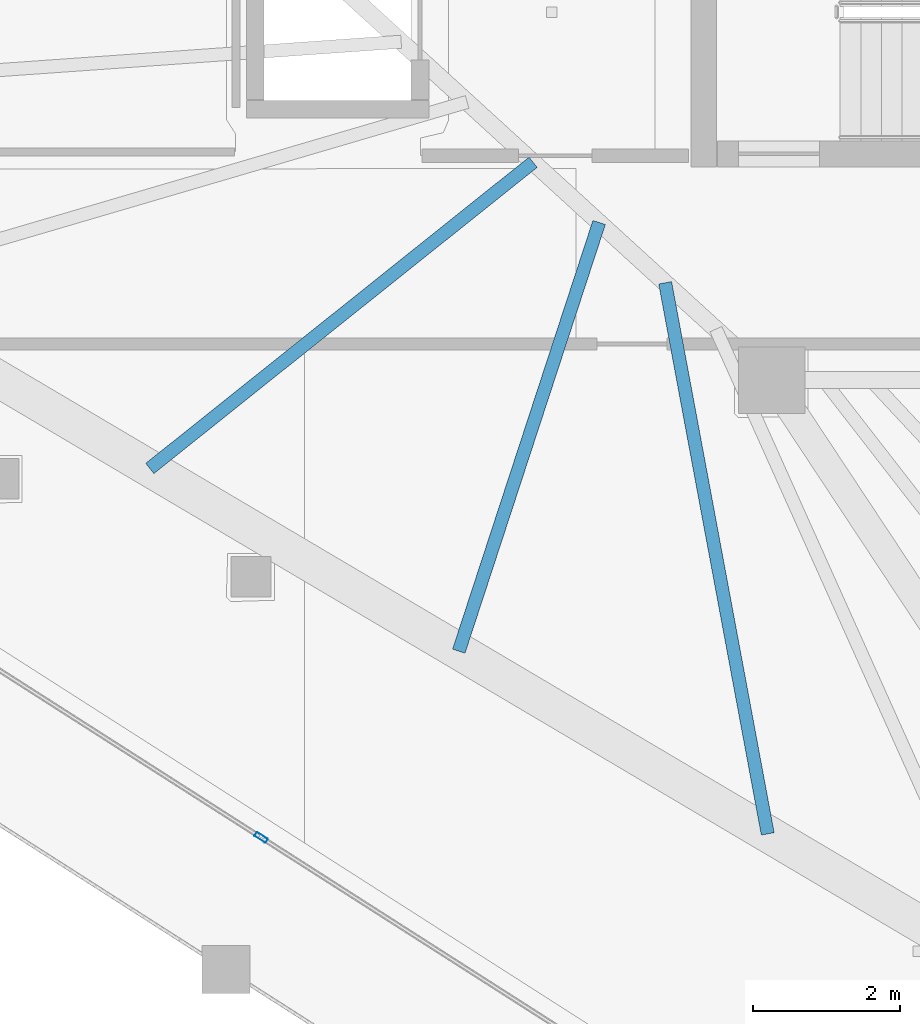
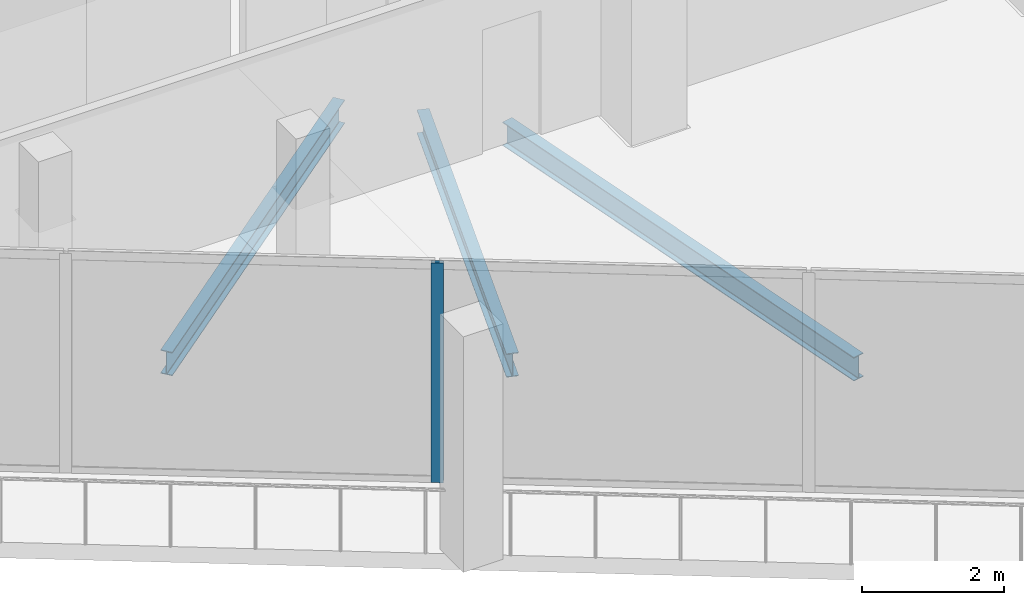
# One storey, part 5 of 30: 3 beams, 1 member, 1 element without a shape of its own.
"""IFC4 building model written with IfcOpenShell, lengths in metres."""

from ifc_helpers import new_model, si_unit, direction, frame, origin, origin_2d, place, context, subcontext, project, spatial, hollow_rectangle, i_section, extrude, material, layer, layer_set, material_profile, profile_set, type_object, element, aggregate, save


model = new_model("IFC4")

# Units and contexts
model_context = context("Model", 3, precision=1e-05, world=origin(), true_north=direction((0.0, 1.0)))
body_context = subcontext(model_context, "Body", "Model", "MODEL_VIEW")
ifc_project = project(units=[si_unit("LENGTHUNIT", "METRE"), si_unit("AREAUNIT", "SQUARE_METRE"), si_unit("VOLUMEUNIT", "CUBIC_METRE"), si_unit("PLANEANGLEUNIT", "RADIAN"), si_unit("MASSUNIT", "GRAM", prefix="KILO")], contexts=[model_context])

# Site, building, storey
site_placement = place(None, origin())
site = spatial("IfcSite", under=ifc_project, at=site_placement, CompositionType="ELEMENT")
building_placement = place(site_placement, origin())
building = spatial("IfcBuilding", under=site, at=building_placement, Name="Qorvath Tower", CompositionType="ELEMENT")
storey_placement = place(building_placement, frame((0.0, 0.0, 217.199951171875)))
storey = spatial("IfcBuildingStorey", under=building, at=storey_placement, Name="L50", CompositionType="ELEMENT", Elevation=217.199951171875)

# Beams
ifc_material_1 = material(Name="Steel ASTM A992 Grade 50", Category="steel")
ifc_material_profile_1 = material_profile(ifc_material_1, i_section(OverallWidth=0.177978515625, OverallDepth=0.406005859375, WebThickness=0.0078125, FlangeThickness=0.0126953125, FilletRadius=0.010986328125, at=origin_2d()), Name="W16x40")
ifc_profile_set_1 = profile_set([ifc_material_profile_1], Name="Steel ASTM A992 Grade 50")
beam_type = type_object("IfcBeamType", Name="BM-FJ3", PredefinedType="JOIST", material=ifc_profile_set_1)
beam_1_placement = place(storey_placement, frame((-26.843017578125, -8.489013671875, -0.47314453125), z_axis=(-0.781336553339, -0.624109918537, 0.0), x_axis=(0.624109918537, -0.781336553339, 0.0)))
element("IfcBeam", 1, at=beam_1_placement, inside=storey, type_object=beam_type, Name="Composite Floor Joist SW4 L50", PredefinedType="JOIST", context=body_context, shape_type="SweptSolid", body=[
    extrude(i_section(OverallWidth=0.177978515625, OverallDepth=0.406005859375, WebThickness=0.0078125, FlangeThickness=0.0126953125, FilletRadius=0.010986328125, at=origin_2d()), origin(), (0.0, 0.0, 1.0), 6.667724609375),
])
beam_2_placement = place(storey_placement, frame((-25.946044921875, -9.30810546875, -0.47314453125), z_axis=(-0.311228747452, -0.950335028692, 0.0), x_axis=(0.950335028692, -0.311228747452, 0.0)))
element("IfcBeam", 2, at=beam_2_placement, inside=storey, type_object=beam_type, Name="Composite Floor Joist SW5 L50", PredefinedType="JOIST", context=body_context, shape_type="SweptSolid", body=[
    extrude(i_section(OverallWidth=0.177978515625, OverallDepth=0.406005859375, WebThickness=0.0078125, FlangeThickness=0.0126953125, FilletRadius=0.010986328125, at=origin_2d()), origin(), (0.0, 0.0, 1.0), 6.129638671875),
])
beam_3_placement = place(storey_placement, frame((-25.049072265625, -10.126953125, -0.47314453125), z_axis=(0.183026775988, -0.983107928598, 0.0), x_axis=(0.983107928598, 0.183026775988, 0.0)))
element("IfcBeam", 3, at=beam_3_placement, inside=storey, type_object=beam_type, Name="Composite Floor Joist SW6 L50", PredefinedType="JOIST", context=body_context, shape_type="SweptSolid", body=[
    extrude(i_section(OverallWidth=0.177978515625, OverallDepth=0.406005859375, WebThickness=0.0078125, FlangeThickness=0.0126953125, FilletRadius=0.010986328125, at=origin_2d()), origin(), (0.0, 0.0, 1.0), 7.617919921875),
])

# Curtain wall, member
ifc_material_2 = material(Name="Anodised aluminium and triple low-E glass", Category="aluminium")
ifc_layer = layer(ifc_material_2, 0.179931640625)
ifc_layer_set = layer_set([ifc_layer], Name="CW-SYS-3")
curtain_wall_type = type_object("IfcCurtainWallType", Name="CW-SYS-3", PredefinedType="NOTDEFINED", material=ifc_layer_set)
curtain_wall_placement = place(storey_placement, origin())
curtain_wall = element("IfcCurtainWall", 4, at=curtain_wall_placement, inside=storey, type_object=curtain_wall_type, Name="Curtain Wall CW-3 CW-T-L50-2.2", PredefinedType="NOTDEFINED")
ifc_material_3 = material(Name="Anodised aluminium 6063-T6", Category="aluminium")
ifc_material_profile_2 = material_profile(ifc_material_3, hollow_rectangle(XDim=0.06494140625, YDim=0.179931640625, WallThickness=0.00341796875, InnerFilletRadius=0.00341796875, OuterFilletRadius=0.007080078125, at=origin_2d()), Name="CWM 180x65")
ifc_profile_set_2 = profile_set([ifc_material_profile_2], Name="Anodised aluminium 6063-T6")
member_type = type_object("IfcMemberType", Name="CWM-180", PredefinedType="MULLION", material=ifc_profile_set_2)
member_placement = place(storey_placement, frame((-30.5400390625, -17.6650390625, 0.0), z_axis=(0.0, 0.0, 1.0), x_axis=(0.538534785809, 0.842603278224, 0.0)))
member = element("IfcMember", 5, at=member_placement, type_object=member_type, Name="CW-3 mullion 5", PredefinedType="MULLION", context=body_context, shape_type="SweptSolid", body=[
    extrude(hollow_rectangle(XDim=0.06494140625, YDim=0.179931640625, WallThickness=0.00341796875, InnerFilletRadius=0.00341796875, OuterFilletRadius=0.007080078125, at=origin_2d()), origin(), (0.0, 0.0, 1.0), 3.780029296875),
])
aggregate(curtain_wall, [member])

save(model, "model.ifc")
